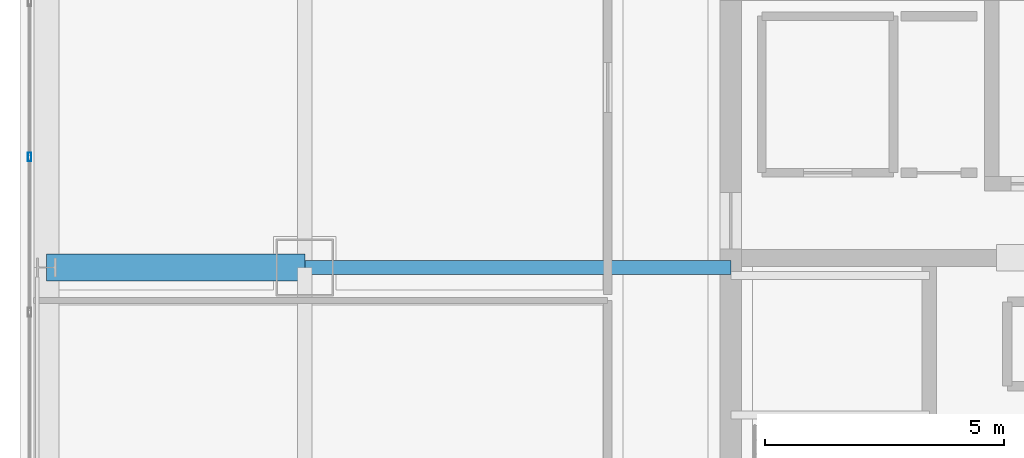
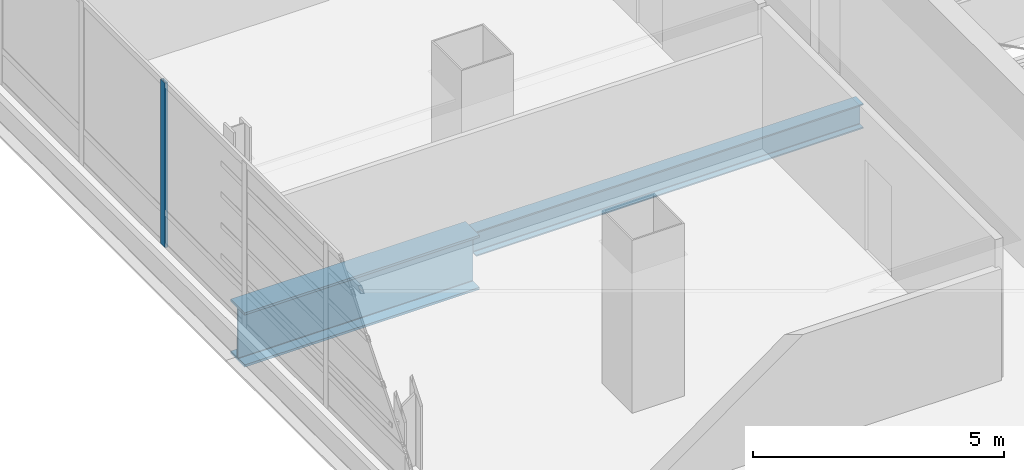
# One storey, part 14 of 43: 2 beams, 1 member, 1 element without a shape of its own.
"""IFC4 building model written with IfcOpenShell, lengths in metres."""

from ifc_helpers import new_model, si_unit, direction, frame, origin, origin_2d, place, context, subcontext, project, spatial, hollow_rectangle, i_section, extrude, material, material_profile, profile_set, type_object, element, aggregate, save


model = new_model("IFC4")

# Units and contexts
model_context = context("Model", 3, precision=1e-05, world=origin(), true_north=direction((0.0, 1.0)))
body_context = subcontext(model_context, "Body", "Model", "MODEL_VIEW")
ifc_project = project(units=[si_unit("LENGTHUNIT", "METRE"), si_unit("AREAUNIT", "SQUARE_METRE"), si_unit("VOLUMEUNIT", "CUBIC_METRE"), si_unit("PLANEANGLEUNIT", "RADIAN"), si_unit("MASSUNIT", "GRAM", prefix="KILO")], contexts=[model_context])

# Site, building, storey
site_placement = place(None, origin())
site = spatial("IfcSite", under=ifc_project, at=site_placement, CompositionType="ELEMENT")
building_placement = place(site_placement, origin())
building = spatial("IfcBuilding", under=site, at=building_placement, Name="Punatoya Terracotta Tower", CompositionType="ELEMENT")
storey_placement = place(building_placement, frame((0.0, 0.0, 321.60009765625)))
storey = spatial("IfcBuildingStorey", under=building, at=storey_placement, Name="L76", CompositionType="ELEMENT", Elevation=321.60009765625)

# Beams
ifc_material_1 = material(Name="Steel S355", Category="steel")
ifc_material_profile_1 = material_profile(ifc_material_1, i_section(OverallWidth=0.300048828125, OverallDepth=0.60009765625, WebThickness=0.015380859375, FlangeThickness=0.030029296875, FilletRadius=0.01806640625, at=origin_2d()))
ifc_profile_set_1 = profile_set([ifc_material_profile_1], Name="Steel S355")
beam_type_1 = type_object("IfcBeamType", Name="BM-PRI-600", PredefinedType="BEAM", material=ifc_profile_set_1)
beam_1_placement = place(storey_placement, frame((-19.10009765625, 3.39990234375, -0.5), z_axis=(1.0, 0.0, 0.0), x_axis=(0.0, 1.0, 0.0)))
element("IfcBeam", 1, at=beam_1_placement, inside=storey, type_object=beam_type_1, Name="BM-L76-PR-WE", PredefinedType="BEAM", context=body_context, shape_type="SweptSolid", body=[
    extrude(i_section(OverallWidth=0.300048828125, OverallDepth=0.60009765625, WebThickness=0.015380859375, FlangeThickness=0.030029296875, FilletRadius=0.01806640625, at=origin_2d()), origin(), (0.0, 0.0, 1.0), 8.900146484375),
])
ifc_material_2 = material(Name="Steel S460", Category="steel")
ifc_material_profile_2 = material_profile(ifc_material_2, i_section(OverallWidth=0.56005859375, OverallDepth=1.320068359375, WebThickness=0.035888671875, FlangeThickness=0.054931640625, FilletRadius=0.01806640625, at=origin_2d()))
ifc_profile_set_2 = profile_set([ifc_material_profile_2], Name="Steel S460")
beam_type_2 = type_object("IfcBeamType", Name="BM-TG-BLK", PredefinedType="BEAM", material=ifc_profile_set_2)
beam_2_placement = place(storey_placement, frame((-24.5, 3.39990234375, -0.860107421875), z_axis=(1.0, 0.0, 0.0), x_axis=(0.0, 1.0, 0.0)))
element("IfcBeam", 2, at=beam_2_placement, inside=storey, type_object=beam_type_2, Name="BM-L76-CANT-W3", PredefinedType="BEAM", context=body_context, shape_type="SweptSolid", body=[
    extrude(i_section(OverallWidth=0.56005859375, OverallDepth=1.320068359375, WebThickness=0.035888671875, FlangeThickness=0.054931640625, FilletRadius=0.01806640625, at=origin_2d()), origin(), (0.0, 0.0, 1.0), 5.39990234375),
])

# Curtain wall, member
ifc_material_3 = material(Name="Aluminium 6063-T6 + Double Low-E Glass", Category="aluminium")
curtain_wall_type = type_object("IfcCurtainWallType", Name="CW-OBS", PredefinedType="NOTDEFINED", material=ifc_material_3)
curtain_wall_placement = place(storey_placement, origin())
curtain_wall = element("IfcCurtainWall", 3, at=curtain_wall_placement, inside=storey, type_object=curtain_wall_type, Name="L76 Curtain Wall CW-L76-W13-1", PredefinedType="NOTDEFINED")
ifc_material_4 = material(Name="Aluminium 6063-T6", Category="aluminium")
ifc_material_profile_3 = material_profile(ifc_material_4, hollow_rectangle(XDim=0.070068359375, YDim=0.179931640625, WallThickness=0.00390625, at=origin_2d()))
ifc_profile_set_3 = profile_set([ifc_material_profile_3], Name="Aluminium 6063-T6")
member_type = type_object("IfcMemberType", Name="CW-MUL-M3", PredefinedType="MULLION", material=ifc_profile_set_3)
member_placement = place(storey_placement, frame((-24.85009765625, 5.707763671875, 0.0), z_axis=(0.0, 0.0, 1.0), x_axis=(1.0, 0.0, 0.0)))
member = element("IfcMember", 4, at=member_placement, type_object=member_type, Name="CW-L76-W13-1 Mullion 03", PredefinedType="MULLION", context=body_context, shape_type="SweptSolid", body=[
    extrude(hollow_rectangle(XDim=0.070068359375, YDim=0.179931640625, WallThickness=0.00390625, at=origin_2d()), origin(), (0.0, 0.0, 1.0), 4.0),
])
aggregate(curtain_wall, [member])

save(model, "model.ifc")
